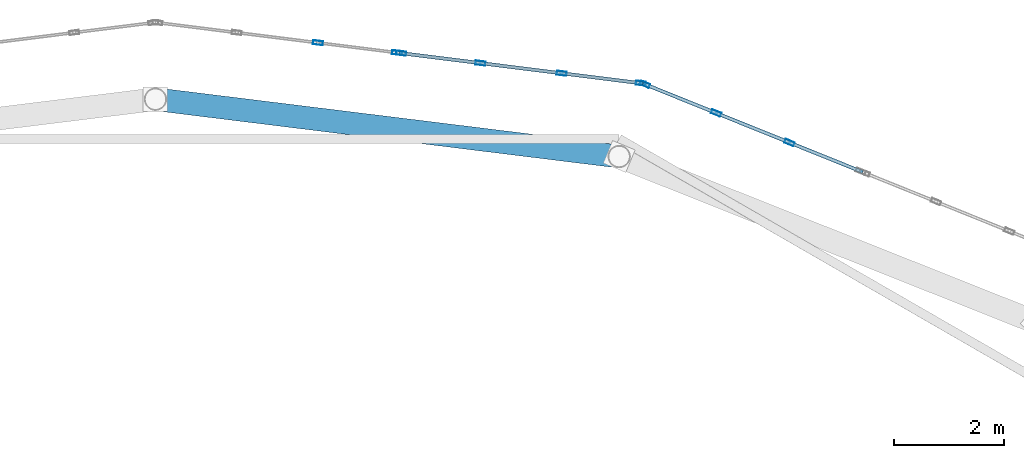
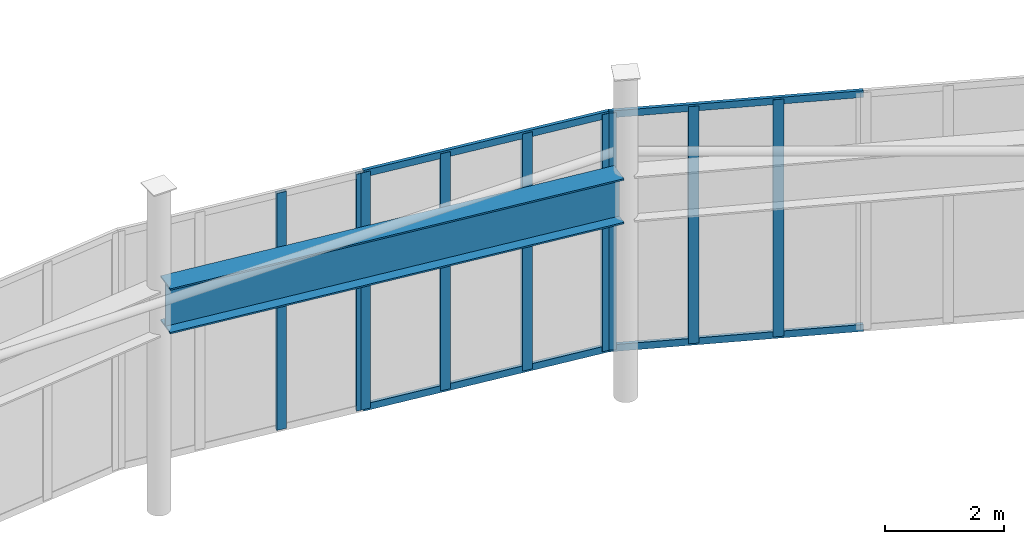
# One storey, part 40 of 91: 13 members, 1 beam, 3 elements without a shape of their own.
"""IFC4 building model written with IfcOpenShell, lengths in metres."""

from ifc_helpers import new_model, si_unit, direction, frame, origin, origin_2d, place, context, subcontext, project, spatial, hollow_rectangle, i_section, extrude, material, layer, layer_set, material_profile, profile_set, type_object, element, aggregate, save


model = new_model("IFC4")

# Units and contexts
model_context = context("Model", 3, precision=1e-05, world=origin(), true_north=direction((0.0, 1.0)))
body_context = subcontext(model_context, "Body", "Model", "MODEL_VIEW")
ifc_project = project(units=[si_unit("LENGTHUNIT", "METRE"), si_unit("AREAUNIT", "SQUARE_METRE"), si_unit("VOLUMEUNIT", "CUBIC_METRE"), si_unit("PLANEANGLEUNIT", "RADIAN"), si_unit("MASSUNIT", "GRAM", prefix="KILO")], contexts=[model_context])

# Site, building, storey
site_placement = place(None, origin())
site = spatial("IfcSite", under=ifc_project, at=site_placement, CompositionType="ELEMENT")
building_placement = place(site_placement, origin())
building = spatial("IfcBuilding", under=site, at=building_placement, Name="Sollismere Congress Hotel", CompositionType="ELEMENT")
storey_placement = place(building_placement, frame((0.0, 0.0, 10.800048828125)))
storey = spatial("IfcBuildingStorey", under=building, at=storey_placement, Name="L02", CompositionType="ELEMENT", Elevation=10.800048828125)

# Beam
ifc_material_1 = material(Name="Steel ASTM A992 Grade 50", Category="steel")
ifc_material_profile_1 = material_profile(ifc_material_1, i_section(OverallWidth=0.4189453125, OverallDepth=0.927001953125, WebThickness=0.019287109375, FlangeThickness=0.031982421875, at=origin_2d()), Name="W36X231")
ifc_profile_set_1 = profile_set([ifc_material_profile_1], Name="Steel ASTM A992 Grade 50")
beam_type = type_object("IfcBeamType", Name="BM-RG36", PredefinedType="SPANDREL", material=ifc_profile_set_1)
beam_placement = place(storey_placement, frame((37.33251953125, 110.7197265625, 4.156494140625), z_axis=(-0.992441298933, 0.122720284274, 0.0), x_axis=(-0.122720284274, -0.992441298933, 0.0)))
element("IfcBeam", 1, at=beam_placement, inside=storey, type_object=beam_type, Name="Beam BM-L02-4210", PredefinedType="SPANDREL", context=body_context, shape_type="SweptSolid", body=[
    extrude(i_section(OverallWidth=0.4189453125, OverallDepth=0.927001953125, WebThickness=0.019287109375, FlangeThickness=0.031982421875, at=origin_2d()), origin(), (0.0, 0.0, 1.0), 8.27587890625),
])

# Curtain wall, members
ifc_material_2 = material(Name="Anodized Bronze Curtain Wall & Low-E Triple Glazing", Category="glass")
ifc_layer = layer(ifc_material_2, 0.199951171875, Name="Anodized Bronze Curtain Wall & Low-E Triple Glazing")
ifc_layer_set = layer_set([ifc_layer], Name="Anodized Bronze Curtain Wall & Low-E Triple Glazing")
curtain_wall_type = type_object("IfcCurtainWallType", Name="CW-GLZ36", PredefinedType="USERDEFINED", material=ifc_layer_set)
curtain_wall_1_placement = place(storey_placement, origin())
curtain_wall_1 = element("IfcCurtainWall", 2, at=curtain_wall_1_placement, inside=storey, type_object=curtain_wall_type, Name="Unitised curtain wall CW-L02-010", ObjectType="UNITISED CURTAIN WALL", PredefinedType="USERDEFINED")
ifc_material_3 = material(Name="Anodized Aluminum 6063-T6", Category="aluminium")
ifc_material_profile_2 = material_profile(ifc_material_3, hollow_rectangle(XDim=0.074951171875, YDim=0.179931640625, WallThickness=0.0048828125, at=origin_2d()), Name="ALU180X75X5")
ifc_profile_set_2 = profile_set([ifc_material_profile_2], Name="Anodized Aluminum 6063-T6")
member_type_1 = type_object("IfcMemberType", Name="ML-CW180", PredefinedType="MULLION", material=ifc_profile_set_2)
member_1_placement = place(storey_placement, frame((40.5556640625, 110.95947265625, 0.0), z_axis=(0.0, 0.0, 1.0), x_axis=(-0.373943018709, -0.927451680013, 0.0)))
member_1 = element("IfcMember", 3, at=member_1_placement, type_object=member_type_1, Name="CWL-CW-L02-010-ML02", PredefinedType="MULLION", context=body_context, shape_type="SweptSolid", body=[
    extrude(hollow_rectangle(XDim=0.074951171875, YDim=0.179931640625, WallThickness=0.0048828125, at=origin_2d()), origin(), (0.0, 0.0, 1.0), 4.85986328125),
])
member_2_placement = place(storey_placement, frame((39.219970703125, 111.497802734375, 0.0), z_axis=(0.0, 0.0, 1.0), x_axis=(-0.373943018709, -0.927451680013, 0.0)))
member_2 = element("IfcMember", 4, at=member_2_placement, type_object=member_type_1, Name="CWL-CW-L02-010-ML03", PredefinedType="MULLION", context=body_context, shape_type="SweptSolid", body=[
    extrude(hollow_rectangle(XDim=0.074951171875, YDim=0.179931640625, WallThickness=0.0048828125, at=origin_2d()), origin(), (0.0, 0.0, 1.0), 4.85986328125),
])
member_3_placement = place(storey_placement, frame((37.91943359375, 112.022216796875, 0.0), z_axis=(0.0, 0.0, 1.0), x_axis=(-0.373943018709, -0.927451680013, 0.0)))
member_3 = element("IfcMember", 5, at=member_3_placement, type_object=member_type_1, Name="CWL-CW-L02-010-ML04", PredefinedType="MULLION", context=body_context, shape_type="SweptSolid", body=[
    extrude(hollow_rectangle(XDim=0.074951171875, YDim=0.179931640625, WallThickness=0.0048828125, at=origin_2d()), origin(), (0.0, 0.0, 1.0), 4.85986328125),
])

curtain_wall_2_placement = place(storey_placement, origin())
curtain_wall_2 = element("IfcCurtainWall", 6, at=curtain_wall_2_placement, inside=storey, type_object=curtain_wall_type, Name="Unitised curtain wall CW-L02-015", ObjectType="UNITISED CURTAIN WALL", PredefinedType="USERDEFINED")
member_4_placement = place(storey_placement, frame((37.846435546875, 112.041259765625, 0.0), z_axis=(0.0, 0.0, 1.0), x_axis=(-0.124363496441, -0.992236726166, 0.0)))
member_4 = element("IfcMember", 7, at=member_4_placement, type_object=member_type_1, Name="CWL-CW-L02-015-ML01", PredefinedType="MULLION", context=body_context, shape_type="SweptSolid", body=[
    extrude(hollow_rectangle(XDim=0.074951171875, YDim=0.179931640625, WallThickness=0.0048828125, at=origin_2d()), origin(), (0.0, 0.0, 1.0), 4.85986328125),
])
member_5_placement = place(storey_placement, frame((36.403564453125, 112.22216796875, 0.0), z_axis=(0.0, 0.0, 1.0), x_axis=(-0.124363496441, -0.992236726166, 0.0)))
member_5 = element("IfcMember", 8, at=member_5_placement, type_object=member_type_1, Name="CWL-CW-L02-015-ML02", PredefinedType="MULLION", context=body_context, shape_type="SweptSolid", body=[
    extrude(hollow_rectangle(XDim=0.074951171875, YDim=0.179931640625, WallThickness=0.0048828125, at=origin_2d()), origin(), (0.0, 0.0, 1.0), 4.85986328125),
])
member_6_placement = place(storey_placement, frame((34.9228515625, 112.40771484375, 0.0), z_axis=(0.0, 0.0, 1.0), x_axis=(-0.124363496441, -0.992236726166, 0.0)))
member_6 = element("IfcMember", 9, at=member_6_placement, type_object=member_type_1, Name="CWL-CW-L02-015-ML03", PredefinedType="MULLION", context=body_context, shape_type="SweptSolid", body=[
    extrude(hollow_rectangle(XDim=0.074951171875, YDim=0.179931640625, WallThickness=0.0048828125, at=origin_2d()), origin(), (0.0, 0.0, 1.0), 4.85986328125),
])
member_7_placement = place(storey_placement, frame((33.479736328125, 112.58837890625, 0.0), z_axis=(0.0, 0.0, 1.0), x_axis=(-0.124363496441, -0.992236726166, 0.0)))
member_7 = element("IfcMember", 10, at=member_7_placement, type_object=member_type_1, Name="CWL-CW-L02-015-ML04", PredefinedType="MULLION", context=body_context, shape_type="SweptSolid", body=[
    extrude(hollow_rectangle(XDim=0.074951171875, YDim=0.179931640625, WallThickness=0.0048828125, at=origin_2d()), origin(), (0.0, 0.0, 1.0), 4.85986328125),
])

curtain_wall_3_placement = place(storey_placement, origin())
curtain_wall_3 = element("IfcCurtainWall", 11, at=curtain_wall_3_placement, inside=storey, type_object=curtain_wall_type, Name="Unitised curtain wall CW-L02-016", ObjectType="UNITISED CURTAIN WALL", PredefinedType="USERDEFINED")
member_8_placement = place(storey_placement, frame((33.404296875, 112.597900390625, 0.0), z_axis=(0.0, 0.0, 1.0), x_axis=(-0.124363496441, -0.992236726166, 0.0)))
member_8 = element("IfcMember", 12, at=member_8_placement, type_object=member_type_1, Name="CWL-CW-L02-016-ML01", PredefinedType="MULLION", context=body_context, shape_type="SweptSolid", body=[
    extrude(hollow_rectangle(XDim=0.074951171875, YDim=0.179931640625, WallThickness=0.0048828125, at=origin_2d()), origin(), (0.0, 0.0, 1.0), 4.85986328125),
])
member_9_placement = place(storey_placement, frame((31.96142578125, 112.77880859375, 0.0), z_axis=(0.0, 0.0, 1.0), x_axis=(-0.124363496441, -0.992236726166, 0.0)))
member_9 = element("IfcMember", 13, at=member_9_placement, type_object=member_type_1, Name="CWL-CW-L02-016-ML02", PredefinedType="MULLION", context=body_context, shape_type="SweptSolid", body=[
    extrude(hollow_rectangle(XDim=0.074951171875, YDim=0.179931640625, WallThickness=0.0048828125, at=origin_2d()), origin(), (0.0, 0.0, 1.0), 4.85986328125),
])
aggregate(curtain_wall_3, [member_8, member_9])

# Member
ifc_material_profile_3 = material_profile(ifc_material_3, hollow_rectangle(XDim=0.06494140625, YDim=0.139892578125, WallThickness=0.00390625, at=origin_2d()), Name="ALU140X65X4")
ifc_profile_set_3 = profile_set([ifc_material_profile_3], Name="Anodized Aluminum 6063-T6")
member_type_2 = type_object("IfcMemberType", Name="TR-CW150", PredefinedType="MEMBER", material=ifc_profile_set_3)
member_10_placement = place(storey_placement, frame((41.8916015625, 110.4208984375, 0.032470703125), z_axis=(-0.927452218611, 0.373941682878, 0.0), x_axis=(-0.373941682878, -0.927452218611, 0.0)))
member_10 = element("IfcMember", 14, at=member_10_placement, type_object=member_type_2, Name="CWL-CW-L02-010-TR1", PredefinedType="MEMBER", context=body_context, shape_type="SweptSolid", body=[
    extrude(hollow_rectangle(XDim=0.06494140625, YDim=0.139892578125, WallThickness=0.00390625, at=origin_2d()), origin(), (0.0, 0.0, 1.0), 4.32080078125),
])

member_11_placement = place(storey_placement, frame((41.8916015625, 110.4208984375, 4.827392578125), z_axis=(-0.927452218611, 0.373941682878, 0.0), x_axis=(-0.373941682878, -0.927452218611, 0.0)))
member_11 = element("IfcMember", 15, at=member_11_placement, type_object=member_type_2, Name="CWL-CW-L02-010-TR2", PredefinedType="MEMBER", context=body_context, shape_type="SweptSolid", body=[
    extrude(hollow_rectangle(XDim=0.06494140625, YDim=0.139892578125, WallThickness=0.00390625, at=origin_2d()), origin(), (0.0, 0.0, 1.0), 4.32080078125),
])

aggregate(curtain_wall_1, [member_1, member_2, member_3, member_10, member_11])

member_12_placement = place(storey_placement, frame((37.88427734375, 112.03662109375, 0.032470703125), z_axis=(-0.992240076669, 0.124336761462, 0.0), x_axis=(-0.124336761462, -0.992240076669, 0.0)))
member_12 = element("IfcMember", 16, at=member_12_placement, type_object=member_type_2, Name="CWL-CW-L02-015-TR1", PredefinedType="MEMBER", context=body_context, shape_type="SweptSolid", body=[
    extrude(hollow_rectangle(XDim=0.06494140625, YDim=0.139892578125, WallThickness=0.00390625, at=origin_2d()), origin(), (0.0, 0.0, 1.0), 4.476806640625),
])

member_13_placement = place(storey_placement, frame((37.88427734375, 112.03662109375, 4.827392578125), z_axis=(-0.992240076669, 0.124336761462, 0.0), x_axis=(-0.124336761462, -0.992240076669, 0.0)))
member_13 = element("IfcMember", 17, at=member_13_placement, type_object=member_type_2, Name="CWL-CW-L02-015-TR2", PredefinedType="MEMBER", context=body_context, shape_type="SweptSolid", body=[
    extrude(hollow_rectangle(XDim=0.06494140625, YDim=0.139892578125, WallThickness=0.00390625, at=origin_2d()), origin(), (0.0, 0.0, 1.0), 4.476806640625),
])

aggregate(curtain_wall_2, [member_4, member_5, member_6, member_7, member_12, member_13])

save(model, "model.ifc")
